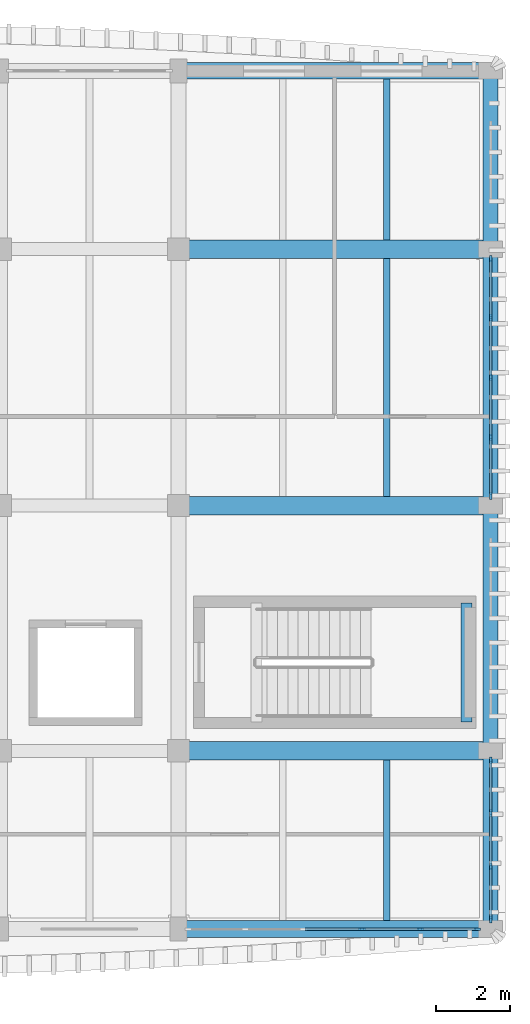
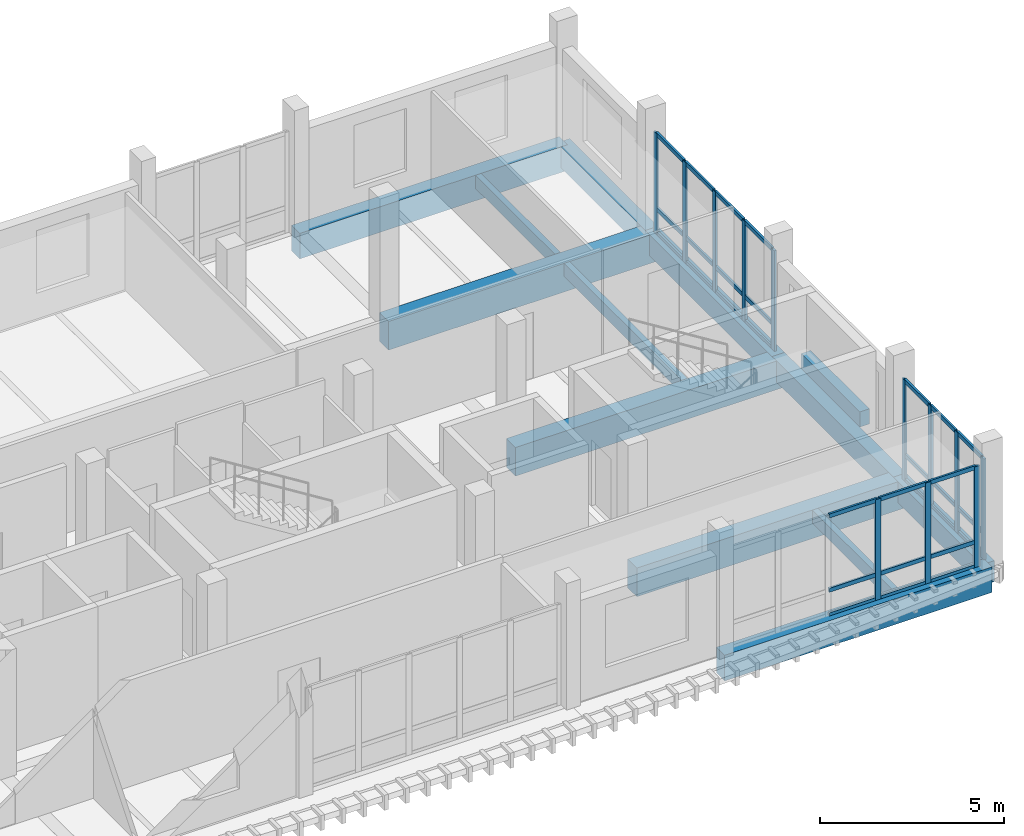
# One storey, part 5 of 16: 42 members, 13 beams, 3 elements without a shape of their own.
"""IFC4 building model written with IfcOpenShell, lengths in metres."""

from ifc_helpers import new_model, si_unit, direction, frame, origin, origin_2d, place, context, subcontext, project, spatial, rectangle, extrude, material, material_profile, profile_set, type_object, element, aggregate, save


model = new_model("IFC4")

# Units and contexts
model_context = context("Model", 3, precision=1e-05, world=origin(), true_north=direction((0.0, 1.0)))
body_context = subcontext(model_context, "Body", "Model", "MODEL_VIEW")
ifc_project = project(units=[si_unit("LENGTHUNIT", "METRE"), si_unit("AREAUNIT", "SQUARE_METRE"), si_unit("VOLUMEUNIT", "CUBIC_METRE"), si_unit("PLANEANGLEUNIT", "RADIAN"), si_unit("MASSUNIT", "GRAM", prefix="KILO")], contexts=[model_context])

# Site, building, storey
site_placement = place(None, origin())
site = spatial("IfcSite", under=ifc_project, at=site_placement, CompositionType="ELEMENT")
building_placement = place(site_placement, origin())
building = spatial("IfcBuilding", under=site, at=building_placement, Name="Dornvale Research Institute", CompositionType="ELEMENT")
storey_placement = place(building_placement, frame((0.0, 0.0, 38.39990234375)))
storey = spatial("IfcBuildingStorey", under=building, at=storey_placement, Name="L08", CompositionType="ELEMENT", Elevation=38.39990234375)

# Beams
ifc_material_1 = material(Name="Concrete f'c 45 MPa (C35/45)", Category="concrete")
ifc_material_profile_1 = material_profile(ifc_material_1, rectangle(XDim=0.300048828125, YDim=0.5, at=origin_2d()), Name="RC 300x500")
ifc_profile_set_1 = profile_set([ifc_material_profile_1], Name="Concrete f'c 45 MPa (C35/45)")
beam_type_1 = type_object("IfcBeamType", Name="Beam_RC300x500_Trim", PredefinedType="BEAM", material=ifc_profile_set_1)
beam_1_placement = place(storey_placement, frame((40.75, 104.580078125, 1.650146484375), z_axis=(0.0, 1.0, 0.0), x_axis=(-1.0, 0.0, 0.0)))
element("IfcBeam", 1, at=beam_1_placement, inside=storey, type_object=beam_type_1, Name="L08 ST-2 half-landing support beam #45", PredefinedType="BEAM", context=body_context, shape_type="SweptSolid", body=[
    extrude(rectangle(XDim=0.300048828125, YDim=0.5, at=origin_2d()), origin(), (0.0, 0.0, 1.0), 3.199951171875),
])
ifc_material_2 = material(Name="Concrete f'c 45 MPa (C35/45)", Category="concrete")
ifc_material_profile_2 = material_profile(ifc_material_2, rectangle(XDim=0.5, YDim=0.949951171875, at=origin_2d()), Name="RC 500x950")
ifc_profile_set_2 = profile_set([ifc_material_profile_2], Name="Concrete f'c 45 MPa (C35/45)")
beam_type_2 = type_object("IfcBeamType", Name="Beam_RC500x950_Girder", PredefinedType="BEAM", material=ifc_profile_set_2)
for number, where, z_axis, x_axis, name in (
    (2, (33.0, 103.800048828125, -0.474853515625), (1.0, 0.0, 0.0), (0.0, 1.0, 0.0), "L08 primary girder #1671"),
    (3, (33.0, 110.39990234375, -0.474853515625), (1.0, 0.0, 0.0), (0.0, 1.0, 0.0), "L08 primary girder #1676"),
    (4, (33.0, 117.300048828125, -0.474853515625), (1.0, 0.0, 0.0), (0.0, 1.0, 0.0), "L08 primary girder #1681"),
):
    element("IfcBeam", number, at=place(storey_placement, frame(where, z_axis=z_axis, x_axis=x_axis)), inside=storey, type_object=beam_type_2, Name=name, PredefinedType="BEAM", context=body_context, shape_type="SweptSolid", body=[
        extrude(rectangle(XDim=0.5, YDim=0.949951171875, at=origin_2d()), origin(), (0.0, 0.0, 1.0), 8.39990234375),
    ])
ifc_material_3 = material(Name="Concrete f'c 45 MPa (C35/45)", Category="concrete")
ifc_material_profile_3 = material_profile(ifc_material_3, rectangle(XDim=0.179931640625, YDim=0.43505859375, at=origin_2d()), Name="RC 180x435")
ifc_profile_set_3 = profile_set([ifc_material_profile_3], Name="Concrete f'c 45 MPa (C35/45)")
beam_type_3 = type_object("IfcBeamType", Name="Joist_RC180x435_Rib", PredefinedType="JOIST", material=ifc_profile_set_3)
beam_2_placement = place(storey_placement, frame((38.60009765625, 99.22509765625, -0.21728515625), z_axis=(0.0, 1.0, 0.0), x_axis=(-1.0, 0.0, 0.0)))
element("IfcBeam", 5, at=beam_2_placement, inside=storey, type_object=beam_type_3, Name="L08 laboratory waffle joist #816", PredefinedType="JOIST", context=body_context, shape_type="SweptSolid", body=[
    extrude(rectangle(XDim=0.179931640625, YDim=0.43505859375, at=origin_2d()), origin(), (0.0, 0.0, 1.0), 4.324951171875),
])
beam_3_placement = place(storey_placement, frame((38.60009765625, 110.64990234375, -0.21728515625), z_axis=(0.0, 1.0, 0.0), x_axis=(-1.0, 0.0, 0.0)))
element("IfcBeam", 6, at=beam_3_placement, inside=storey, type_object=beam_type_3, Name="L08 laboratory waffle joist #818", PredefinedType="JOIST", context=body_context, shape_type="SweptSolid", body=[
    extrude(rectangle(XDim=0.179931640625, YDim=0.43505859375, at=origin_2d()), origin(), (0.0, 0.0, 1.0), 6.400146484375),
])
beam_4_placement = place(storey_placement, frame((38.60009765625, 117.550048828125, -0.21728515625), z_axis=(0.0, 1.0, 0.0), x_axis=(-1.0, 0.0, 0.0)))
element("IfcBeam", 7, at=beam_4_placement, inside=storey, type_object=beam_type_3, Name="L08 laboratory waffle joist #820", PredefinedType="JOIST", context=body_context, shape_type="SweptSolid", body=[
    extrude(rectangle(XDim=0.179931640625, YDim=0.43505859375, at=origin_2d()), origin(), (0.0, 0.0, 1.0), 4.324951171875),
])

# Curtain wall, members
ifc_material_4 = material(Name="Low-E Argon Double Insulating Glazing Unit", Category="glass")
curtain_wall_type_1 = type_object("IfcCurtainWallType", Name="UnitisedCurtainWall_V5_6450x3350", PredefinedType="USERDEFINED", material=ifc_material_4)
curtain_wall_1_placement = place(storey_placement, origin())
curtain_wall_1 = element("IfcCurtainWall", 8, at=curtain_wall_1_placement, inside=storey, type_object=curtain_wall_type_1, Name="L08 V5 unitised curtain wall CW-36 #190", ObjectType="UNITISED CURTAIN WALL", PredefinedType="USERDEFINED")
ifc_material_5 = material(Name="Anodized Aluminum AA 6063-T6 Thermally Broken Frame", Category="aluminium")
ifc_material_profile_4 = material_profile(ifc_material_5, rectangle(XDim=0.06494140625, YDim=0.179931640625, at=origin_2d()), Name="ALU MULLION 65x180")
ifc_profile_set_4 = profile_set([ifc_material_profile_4], Name="Anodized Aluminum AA 6063-T6 Thermally Broken Frame")
member_type_1 = type_object("IfcMemberType", Name="Mullion_CW_65x180", PredefinedType="MULLION", material=ifc_profile_set_4)
member_1_placement = place(storey_placement, frame((41.39990234375, 117.04248046875, 0.0), z_axis=(0.0, 0.0, 1.0), x_axis=(1.0, 0.0, 0.0)))
member_1 = element("IfcMember", 9, at=member_1_placement, type_object=member_type_1, Name="CW-36 mullion 1", PredefinedType="MULLION", context=body_context, shape_type="SweptSolid", body=[
    extrude(rectangle(XDim=0.06494140625, YDim=0.179931640625, at=origin_2d()), origin(), (0.0, 0.0, 1.0), 3.35009765625),
])
member_2_placement = place(storey_placement, frame((41.39990234375, 115.46240234375, 0.0), z_axis=(0.0, 0.0, 1.0), x_axis=(1.0, 0.0, 0.0)))
member_2 = element("IfcMember", 10, at=member_2_placement, type_object=member_type_1, Name="CW-36 mullion 2", PredefinedType="MULLION", context=body_context, shape_type="SweptSolid", body=[
    extrude(rectangle(XDim=0.06494140625, YDim=0.179931640625, at=origin_2d()), origin(), (0.0, 0.0, 1.0), 3.35009765625),
])
member_3_placement = place(storey_placement, frame((41.39990234375, 113.85009765625, 0.0), z_axis=(0.0, 0.0, 1.0), x_axis=(1.0, 0.0, 0.0)))
member_3 = element("IfcMember", 11, at=member_3_placement, type_object=member_type_1, Name="CW-36 mullion 3", PredefinedType="MULLION", context=body_context, shape_type="SweptSolid", body=[
    extrude(rectangle(XDim=0.06494140625, YDim=0.179931640625, at=origin_2d()), origin(), (0.0, 0.0, 1.0), 3.35009765625),
])
member_4_placement = place(storey_placement, frame((41.39990234375, 112.237548828125, 0.0), z_axis=(0.0, 0.0, 1.0), x_axis=(1.0, 0.0, 0.0)))
member_4 = element("IfcMember", 12, at=member_4_placement, type_object=member_type_1, Name="CW-36 mullion 4", PredefinedType="MULLION", context=body_context, shape_type="SweptSolid", body=[
    extrude(rectangle(XDim=0.06494140625, YDim=0.179931640625, at=origin_2d()), origin(), (0.0, 0.0, 1.0), 3.35009765625),
])
member_5_placement = place(storey_placement, frame((41.39990234375, 110.657470703125, 0.0), z_axis=(0.0, 0.0, 1.0), x_axis=(1.0, 0.0, 0.0)))
member_5 = element("IfcMember", 13, at=member_5_placement, type_object=member_type_1, Name="CW-36 mullion 5", PredefinedType="MULLION", context=body_context, shape_type="SweptSolid", body=[
    extrude(rectangle(XDim=0.06494140625, YDim=0.179931640625, at=origin_2d()), origin(), (0.0, 0.0, 1.0), 3.35009765625),
])

ifc_material_6 = material(Name="Low-E Argon Double Insulating Glazing Unit", Category="glass")
curtain_wall_type_2 = type_object("IfcCurtainWallType", Name="UnitisedCurtainWall_V5_4350x3350", PredefinedType="USERDEFINED", material=ifc_material_6)
curtain_wall_2_placement = place(storey_placement, origin())
curtain_wall_2 = element("IfcCurtainWall", 14, at=curtain_wall_2_placement, inside=storey, type_object=curtain_wall_type_2, Name="L08 V5 unitised curtain wall CW-35 #191", ObjectType="UNITISED CURTAIN WALL", PredefinedType="USERDEFINED")
member_6_placement = place(storey_placement, frame((41.39990234375, 103.54248046875, 0.0), z_axis=(0.0, 0.0, 1.0), x_axis=(1.0, 0.0, 0.0)))
member_6 = element("IfcMember", 15, at=member_6_placement, type_object=member_type_1, Name="CW-35 mullion 1", PredefinedType="MULLION", context=body_context, shape_type="SweptSolid", body=[
    extrude(rectangle(XDim=0.06494140625, YDim=0.179931640625, at=origin_2d()), origin(), (0.0, 0.0, 1.0), 3.35009765625),
])
member_7_placement = place(storey_placement, frame((41.39990234375, 102.125, 0.0), z_axis=(0.0, 0.0, 1.0), x_axis=(1.0, 0.0, 0.0)))
member_7 = element("IfcMember", 16, at=member_7_placement, type_object=member_type_1, Name="CW-35 mullion 2", PredefinedType="MULLION", context=body_context, shape_type="SweptSolid", body=[
    extrude(rectangle(XDim=0.06494140625, YDim=0.179931640625, at=origin_2d()), origin(), (0.0, 0.0, 1.0), 3.35009765625),
])
member_8_placement = place(storey_placement, frame((41.39990234375, 100.675048828125, 0.0), z_axis=(0.0, 0.0, 1.0), x_axis=(1.0, 0.0, 0.0)))
member_8 = element("IfcMember", 17, at=member_8_placement, type_object=member_type_1, Name="CW-35 mullion 3", PredefinedType="MULLION", context=body_context, shape_type="SweptSolid", body=[
    extrude(rectangle(XDim=0.06494140625, YDim=0.179931640625, at=origin_2d()), origin(), (0.0, 0.0, 1.0), 3.35009765625),
])
member_9_placement = place(storey_placement, frame((41.39990234375, 99.257568359375, 0.0), z_axis=(0.0, 0.0, 1.0), x_axis=(1.0, 0.0, 0.0)))
member_9 = element("IfcMember", 18, at=member_9_placement, type_object=member_type_1, Name="CW-35 mullion 4", PredefinedType="MULLION", context=body_context, shape_type="SweptSolid", body=[
    extrude(rectangle(XDim=0.06494140625, YDim=0.179931640625, at=origin_2d()), origin(), (0.0, 0.0, 1.0), 3.35009765625),
])

ifc_material_7 = material(Name="Low-E Argon Double Insulating Glazing Unit", Category="glass")
curtain_wall_type_3 = type_object("IfcCurtainWallType", Name="UnitisedCurtainWall_V5_7850x3350", PredefinedType="USERDEFINED", material=ifc_material_7)
curtain_wall_3_placement = place(storey_placement, origin())
curtain_wall_3 = element("IfcCurtainWall", 19, at=curtain_wall_3_placement, inside=storey, type_object=curtain_wall_type_3, Name="L08 V5 unitised curtain wall CW-37 #192", ObjectType="UNITISED CURTAIN WALL", PredefinedType="USERDEFINED")
member_10_placement = place(storey_placement, frame((41.04248046875, 99.0, 0.0), z_axis=(0.0, 0.0, 1.0), x_axis=(0.0, -1.0, 0.0)))
member_10 = element("IfcMember", 20, at=member_10_placement, type_object=member_type_1, Name="CW-37 mullion 1", PredefinedType="MULLION", context=body_context, shape_type="SweptSolid", body=[
    extrude(rectangle(XDim=0.06494140625, YDim=0.179931640625, at=origin_2d()), origin(), (0.0, 0.0, 1.0), 3.35009765625),
])
member_11_placement = place(storey_placement, frame((39.5048828125, 99.0, 0.0), z_axis=(0.0, 0.0, 1.0), x_axis=(0.0, -1.0, 0.0)))
member_11 = element("IfcMember", 21, at=member_11_placement, type_object=member_type_1, Name="CW-37 mullion 2", PredefinedType="MULLION", context=body_context, shape_type="SweptSolid", body=[
    extrude(rectangle(XDim=0.06494140625, YDim=0.179931640625, at=origin_2d()), origin(), (0.0, 0.0, 1.0), 3.35009765625),
])
member_12_placement = place(storey_placement, frame((37.93505859375, 99.0, 0.0), z_axis=(0.0, 0.0, 1.0), x_axis=(0.0, -1.0, 0.0)))
member_12 = element("IfcMember", 22, at=member_12_placement, type_object=member_type_1, Name="CW-37 mullion 3", PredefinedType="MULLION", context=body_context, shape_type="SweptSolid", body=[
    extrude(rectangle(XDim=0.06494140625, YDim=0.179931640625, at=origin_2d()), origin(), (0.0, 0.0, 1.0), 3.35009765625),
])

# Beams
ifc_material_8 = material(Name="Concrete f'c 45 MPa (C35/45)", Category="concrete")
ifc_material_profile_5 = material_profile(ifc_material_8, rectangle(XDim=0.39990234375, YDim=0.699951171875, at=origin_2d()), Name="RC 400x700")
ifc_profile_set_5 = profile_set([ifc_material_profile_5], Name="Concrete f'c 45 MPa (C35/45)")
beam_type_4 = type_object("IfcBeamType", Name="Spandrel_RC400x700_Ext", PredefinedType="SPANDREL", material=ifc_profile_set_5)
beam_5_placement = place(storey_placement, frame((41.39990234375, 99.0, -0.349853515625), z_axis=(0.0, 1.0, 0.0), x_axis=(-1.0, 0.0, 0.0)))
element("IfcBeam", 23, at=beam_5_placement, inside=storey, type_object=beam_type_4, Name="L08 perimeter spandrel #1707", PredefinedType="SPANDREL", context=body_context, shape_type="SweptSolid", body=[
    extrude(rectangle(XDim=0.39990234375, YDim=0.699951171875, at=origin_2d()), origin(), (0.0, 0.0, 1.0), 4.800048828125),
])
beam_6_placement = place(storey_placement, frame((41.39990234375, 103.800048828125, -0.349853515625), z_axis=(0.0, 1.0, 0.0), x_axis=(-1.0, 0.0, 0.0)))
element("IfcBeam", 24, at=beam_6_placement, inside=storey, type_object=beam_type_4, Name="L08 perimeter spandrel #1708", PredefinedType="SPANDREL", context=body_context, shape_type="SweptSolid", body=[
    extrude(rectangle(XDim=0.39990234375, YDim=0.699951171875, at=origin_2d()), origin(), (0.0, 0.0, 1.0), 6.599853515625),
])
beam_7_placement = place(storey_placement, frame((41.39990234375, 110.39990234375, -0.349853515625), z_axis=(0.0, 1.0, 0.0), x_axis=(-1.0, 0.0, 0.0)))
element("IfcBeam", 25, at=beam_7_placement, inside=storey, type_object=beam_type_4, Name="L08 perimeter spandrel #1709", PredefinedType="SPANDREL", context=body_context, shape_type="SweptSolid", body=[
    extrude(rectangle(XDim=0.39990234375, YDim=0.699951171875, at=origin_2d()), origin(), (0.0, 0.0, 1.0), 6.900146484375),
])
beam_8_placement = place(storey_placement, frame((41.39990234375, 117.300048828125, -0.349853515625), z_axis=(0.0, 1.0, 0.0), x_axis=(-1.0, 0.0, 0.0)))
element("IfcBeam", 26, at=beam_8_placement, inside=storey, type_object=beam_type_4, Name="L08 perimeter spandrel #1710", PredefinedType="SPANDREL", context=body_context, shape_type="SweptSolid", body=[
    extrude(rectangle(XDim=0.39990234375, YDim=0.699951171875, at=origin_2d()), origin(), (0.0, 0.0, 1.0), 4.800048828125),
])
ifc_material_9 = material(Name="Concrete f'c 45 MPa (C35/45)", Category="concrete")
ifc_material_profile_6 = material_profile(ifc_material_9, rectangle(XDim=0.449951171875, YDim=0.85009765625, at=origin_2d()), Name="RC 450x850")
ifc_profile_set_6 = profile_set([ifc_material_profile_6], Name="Concrete f'c 45 MPa (C35/45)")
beam_type_5 = type_object("IfcBeamType", Name="Spandrel_RC450x850_Ext", PredefinedType="SPANDREL", material=ifc_profile_set_6)
for number, where, z_axis, x_axis, name in (
    (27, (33.0, 99.0, -0.4248046875), (1.0, 0.0, 0.0), (0.0, 1.0, 0.0), "L08 perimeter spandrel #1666"),
    (28, (33.0, 122.10009765625, -0.4248046875), (1.0, 0.0, 0.0), (0.0, 1.0, 0.0), "L08 perimeter spandrel #1686"),
):
    element("IfcBeam", number, at=place(storey_placement, frame(where, z_axis=z_axis, x_axis=x_axis)), inside=storey, type_object=beam_type_5, Name=name, PredefinedType="SPANDREL", context=body_context, shape_type="SweptSolid", body=[
        extrude(rectangle(XDim=0.449951171875, YDim=0.85009765625, at=origin_2d()), origin(), (0.0, 0.0, 1.0), 8.39990234375),
    ])

# Member
ifc_material_10 = material(Name="Anodized Aluminum AA 6063-T6 Thermally Broken Frame", Category="aluminium")
ifc_material_profile_7 = material_profile(ifc_material_10, rectangle(XDim=0.06494140625, YDim=0.135009765625, at=origin_2d()), Name="ALU TRANSOM 65x135")
ifc_profile_set_7 = profile_set([ifc_material_profile_7], Name="Anodized Aluminum AA 6063-T6 Thermally Broken Frame")
member_type_2 = type_object("IfcMemberType", Name="Transom_CW_65x135", PredefinedType="USERDEFINED", material=ifc_profile_set_7)
member_13_placement = place(storey_placement, frame((41.39990234375, 117.010009765625, 0.03271484375), z_axis=(0.0, -1.0, 0.0), x_axis=(1.0, 0.0, 0.0)))
member_13 = element("IfcMember", 29, at=member_13_placement, type_object=member_type_2, Name="CW-36 transom 1.1", ObjectType="TRANSOM", PredefinedType="USERDEFINED", context=body_context, shape_type="SweptSolid", body=[
    extrude(rectangle(XDim=0.06494140625, YDim=0.135009765625, at=origin_2d()), origin(), (0.0, 0.0, 1.0), 1.514892578125),
])

member_14_placement = place(storey_placement, frame((41.39990234375, 117.010009765625, 0.85009765625), z_axis=(0.0, -1.0, 0.0), x_axis=(1.0, 0.0, 0.0)))
member_14 = element("IfcMember", 30, at=member_14_placement, type_object=member_type_2, Name="CW-36 transom 1.2", ObjectType="TRANSOM", PredefinedType="USERDEFINED", context=body_context, shape_type="SweptSolid", body=[
    extrude(rectangle(XDim=0.06494140625, YDim=0.135009765625, at=origin_2d()), origin(), (0.0, 0.0, 1.0), 1.514892578125),
])

member_15_placement = place(storey_placement, frame((41.39990234375, 117.010009765625, 3.317626953125), z_axis=(0.0, -1.0, 0.0), x_axis=(1.0, 0.0, 0.0)))
member_15 = element("IfcMember", 31, at=member_15_placement, type_object=member_type_2, Name="CW-36 transom 1.3", ObjectType="TRANSOM", PredefinedType="USERDEFINED", context=body_context, shape_type="SweptSolid", body=[
    extrude(rectangle(XDim=0.06494140625, YDim=0.135009765625, at=origin_2d()), origin(), (0.0, 0.0, 1.0), 1.514892578125),
])

member_16_placement = place(storey_placement, frame((41.39990234375, 115.429931640625, 0.03271484375), z_axis=(0.0, -1.0, 0.0), x_axis=(1.0, 0.0, 0.0)))
member_16 = element("IfcMember", 32, at=member_16_placement, type_object=member_type_2, Name="CW-36 transom 2.1", ObjectType="TRANSOM", PredefinedType="USERDEFINED", context=body_context, shape_type="SweptSolid", body=[
    extrude(rectangle(XDim=0.06494140625, YDim=0.135009765625, at=origin_2d()), origin(), (0.0, 0.0, 1.0), 1.54736328125),
])

member_17_placement = place(storey_placement, frame((41.39990234375, 115.429931640625, 0.85009765625), z_axis=(0.0, -1.0, 0.0), x_axis=(1.0, 0.0, 0.0)))
member_17 = element("IfcMember", 33, at=member_17_placement, type_object=member_type_2, Name="CW-36 transom 2.2", ObjectType="TRANSOM", PredefinedType="USERDEFINED", context=body_context, shape_type="SweptSolid", body=[
    extrude(rectangle(XDim=0.06494140625, YDim=0.135009765625, at=origin_2d()), origin(), (0.0, 0.0, 1.0), 1.54736328125),
])

member_18_placement = place(storey_placement, frame((41.39990234375, 115.429931640625, 3.317626953125), z_axis=(0.0, -1.0, 0.0), x_axis=(1.0, 0.0, 0.0)))
member_18 = element("IfcMember", 34, at=member_18_placement, type_object=member_type_2, Name="CW-36 transom 2.3", ObjectType="TRANSOM", PredefinedType="USERDEFINED", context=body_context, shape_type="SweptSolid", body=[
    extrude(rectangle(XDim=0.06494140625, YDim=0.135009765625, at=origin_2d()), origin(), (0.0, 0.0, 1.0), 1.54736328125),
])

member_19_placement = place(storey_placement, frame((41.39990234375, 113.8173828125, 0.03271484375), z_axis=(0.0, -1.0, 0.0), x_axis=(1.0, 0.0, 0.0)))
member_19 = element("IfcMember", 35, at=member_19_placement, type_object=member_type_2, Name="CW-36 transom 3.1", ObjectType="TRANSOM", PredefinedType="USERDEFINED", context=body_context, shape_type="SweptSolid", body=[
    extrude(rectangle(XDim=0.06494140625, YDim=0.135009765625, at=origin_2d()), origin(), (0.0, 0.0, 1.0), 1.54736328125),
])

member_20_placement = place(storey_placement, frame((41.39990234375, 113.8173828125, 0.85009765625), z_axis=(0.0, -1.0, 0.0), x_axis=(1.0, 0.0, 0.0)))
member_20 = element("IfcMember", 36, at=member_20_placement, type_object=member_type_2, Name="CW-36 transom 3.2", ObjectType="TRANSOM", PredefinedType="USERDEFINED", context=body_context, shape_type="SweptSolid", body=[
    extrude(rectangle(XDim=0.06494140625, YDim=0.135009765625, at=origin_2d()), origin(), (0.0, 0.0, 1.0), 1.54736328125),
])

member_21_placement = place(storey_placement, frame((41.39990234375, 113.8173828125, 3.317626953125), z_axis=(0.0, -1.0, 0.0), x_axis=(1.0, 0.0, 0.0)))
member_21 = element("IfcMember", 37, at=member_21_placement, type_object=member_type_2, Name="CW-36 transom 3.3", ObjectType="TRANSOM", PredefinedType="USERDEFINED", context=body_context, shape_type="SweptSolid", body=[
    extrude(rectangle(XDim=0.06494140625, YDim=0.135009765625, at=origin_2d()), origin(), (0.0, 0.0, 1.0), 1.54736328125),
])

member_22_placement = place(storey_placement, frame((41.39990234375, 112.205078125, 0.03271484375), z_axis=(0.0, -1.0, 0.0), x_axis=(1.0, 0.0, 0.0)))
member_22 = element("IfcMember", 38, at=member_22_placement, type_object=member_type_2, Name="CW-36 transom 4.1", ObjectType="TRANSOM", PredefinedType="USERDEFINED", context=body_context, shape_type="SweptSolid", body=[
    extrude(rectangle(XDim=0.06494140625, YDim=0.135009765625, at=origin_2d()), origin(), (0.0, 0.0, 1.0), 1.51513671875),
])

member_23_placement = place(storey_placement, frame((41.39990234375, 112.205078125, 0.85009765625), z_axis=(0.0, -1.0, 0.0), x_axis=(1.0, 0.0, 0.0)))
member_23 = element("IfcMember", 39, at=member_23_placement, type_object=member_type_2, Name="CW-36 transom 4.2", ObjectType="TRANSOM", PredefinedType="USERDEFINED", context=body_context, shape_type="SweptSolid", body=[
    extrude(rectangle(XDim=0.06494140625, YDim=0.135009765625, at=origin_2d()), origin(), (0.0, 0.0, 1.0), 1.51513671875),
])

member_24_placement = place(storey_placement, frame((41.39990234375, 112.205078125, 3.317626953125), z_axis=(0.0, -1.0, 0.0), x_axis=(1.0, 0.0, 0.0)))
member_24 = element("IfcMember", 40, at=member_24_placement, type_object=member_type_2, Name="CW-36 transom 4.3", ObjectType="TRANSOM", PredefinedType="USERDEFINED", context=body_context, shape_type="SweptSolid", body=[
    extrude(rectangle(XDim=0.06494140625, YDim=0.135009765625, at=origin_2d()), origin(), (0.0, 0.0, 1.0), 1.51513671875),
])

aggregate(curtain_wall_1, [member_1, member_2, member_3, member_4, member_5, member_13, member_14, member_15, member_16, member_17, member_18, member_19, member_20, member_21, member_22, member_23, member_24])

member_25_placement = place(storey_placement, frame((41.39990234375, 103.510009765625, 0.03271484375), z_axis=(0.0, -1.0, 0.0), x_axis=(1.0, 0.0, 0.0)))
member_25 = element("IfcMember", 41, at=member_25_placement, type_object=member_type_2, Name="CW-35 transom 1.1", ObjectType="TRANSOM", PredefinedType="USERDEFINED", context=body_context, shape_type="SweptSolid", body=[
    extrude(rectangle(XDim=0.06494140625, YDim=0.135009765625, at=origin_2d()), origin(), (0.0, 0.0, 1.0), 1.3525390625),
])

member_26_placement = place(storey_placement, frame((41.39990234375, 103.510009765625, 0.85009765625), z_axis=(0.0, -1.0, 0.0), x_axis=(1.0, 0.0, 0.0)))
member_26 = element("IfcMember", 42, at=member_26_placement, type_object=member_type_2, Name="CW-35 transom 1.2", ObjectType="TRANSOM", PredefinedType="USERDEFINED", context=body_context, shape_type="SweptSolid", body=[
    extrude(rectangle(XDim=0.06494140625, YDim=0.135009765625, at=origin_2d()), origin(), (0.0, 0.0, 1.0), 1.3525390625),
])

member_27_placement = place(storey_placement, frame((41.39990234375, 103.510009765625, 3.317626953125), z_axis=(0.0, -1.0, 0.0), x_axis=(1.0, 0.0, 0.0)))
member_27 = element("IfcMember", 43, at=member_27_placement, type_object=member_type_2, Name="CW-35 transom 1.3", ObjectType="TRANSOM", PredefinedType="USERDEFINED", context=body_context, shape_type="SweptSolid", body=[
    extrude(rectangle(XDim=0.06494140625, YDim=0.135009765625, at=origin_2d()), origin(), (0.0, 0.0, 1.0), 1.3525390625),
])

member_28_placement = place(storey_placement, frame((41.39990234375, 102.092529296875, 0.03271484375), z_axis=(0.0, -1.0, 0.0), x_axis=(1.0, 0.0, 0.0)))
member_28 = element("IfcMember", 44, at=member_28_placement, type_object=member_type_2, Name="CW-35 transom 2.1", ObjectType="TRANSOM", PredefinedType="USERDEFINED", context=body_context, shape_type="SweptSolid", body=[
    extrude(rectangle(XDim=0.06494140625, YDim=0.135009765625, at=origin_2d()), origin(), (0.0, 0.0, 1.0), 1.385009765625),
])

member_29_placement = place(storey_placement, frame((41.39990234375, 102.092529296875, 0.85009765625), z_axis=(0.0, -1.0, 0.0), x_axis=(1.0, 0.0, 0.0)))
member_29 = element("IfcMember", 45, at=member_29_placement, type_object=member_type_2, Name="CW-35 transom 2.2", ObjectType="TRANSOM", PredefinedType="USERDEFINED", context=body_context, shape_type="SweptSolid", body=[
    extrude(rectangle(XDim=0.06494140625, YDim=0.135009765625, at=origin_2d()), origin(), (0.0, 0.0, 1.0), 1.385009765625),
])

member_30_placement = place(storey_placement, frame((41.39990234375, 102.092529296875, 3.317626953125), z_axis=(0.0, -1.0, 0.0), x_axis=(1.0, 0.0, 0.0)))
member_30 = element("IfcMember", 46, at=member_30_placement, type_object=member_type_2, Name="CW-35 transom 2.3", ObjectType="TRANSOM", PredefinedType="USERDEFINED", context=body_context, shape_type="SweptSolid", body=[
    extrude(rectangle(XDim=0.06494140625, YDim=0.135009765625, at=origin_2d()), origin(), (0.0, 0.0, 1.0), 1.385009765625),
])

member_31_placement = place(storey_placement, frame((41.39990234375, 100.642578125, 0.03271484375), z_axis=(0.0, -1.0, 0.0), x_axis=(1.0, 0.0, 0.0)))
member_31 = element("IfcMember", 47, at=member_31_placement, type_object=member_type_2, Name="CW-35 transom 3.1", ObjectType="TRANSOM", PredefinedType="USERDEFINED", context=body_context, shape_type="SweptSolid", body=[
    extrude(rectangle(XDim=0.06494140625, YDim=0.135009765625, at=origin_2d()), origin(), (0.0, 0.0, 1.0), 1.3525390625),
])

member_32_placement = place(storey_placement, frame((41.39990234375, 100.642578125, 0.85009765625), z_axis=(0.0, -1.0, 0.0), x_axis=(1.0, 0.0, 0.0)))
member_32 = element("IfcMember", 48, at=member_32_placement, type_object=member_type_2, Name="CW-35 transom 3.2", ObjectType="TRANSOM", PredefinedType="USERDEFINED", context=body_context, shape_type="SweptSolid", body=[
    extrude(rectangle(XDim=0.06494140625, YDim=0.135009765625, at=origin_2d()), origin(), (0.0, 0.0, 1.0), 1.3525390625),
])

member_33_placement = place(storey_placement, frame((41.39990234375, 100.642578125, 3.317626953125), z_axis=(0.0, -1.0, 0.0), x_axis=(1.0, 0.0, 0.0)))
member_33 = element("IfcMember", 49, at=member_33_placement, type_object=member_type_2, Name="CW-35 transom 3.3", ObjectType="TRANSOM", PredefinedType="USERDEFINED", context=body_context, shape_type="SweptSolid", body=[
    extrude(rectangle(XDim=0.06494140625, YDim=0.135009765625, at=origin_2d()), origin(), (0.0, 0.0, 1.0), 1.3525390625),
])

aggregate(curtain_wall_2, [member_6, member_7, member_8, member_9, member_25, member_26, member_27, member_28, member_29, member_30, member_31, member_32, member_33])

member_34_placement = place(storey_placement, frame((41.010009765625, 99.0, 0.03271484375), z_axis=(-1.0, 0.0, 0.0), x_axis=(0.0, -1.0, 0.0)))
member_34 = element("IfcMember", 50, at=member_34_placement, type_object=member_type_2, Name="CW-37 transom 1.1", ObjectType="TRANSOM", PredefinedType="USERDEFINED", context=body_context, shape_type="SweptSolid", body=[
    extrude(rectangle(XDim=0.06494140625, YDim=0.135009765625, at=origin_2d()), origin(), (0.0, 0.0, 1.0), 1.472412109375),
])

member_35_placement = place(storey_placement, frame((41.010009765625, 99.0, 0.85009765625), z_axis=(-1.0, 0.0, 0.0), x_axis=(0.0, -1.0, 0.0)))
member_35 = element("IfcMember", 51, at=member_35_placement, type_object=member_type_2, Name="CW-37 transom 1.2", ObjectType="TRANSOM", PredefinedType="USERDEFINED", context=body_context, shape_type="SweptSolid", body=[
    extrude(rectangle(XDim=0.06494140625, YDim=0.135009765625, at=origin_2d()), origin(), (0.0, 0.0, 1.0), 1.472412109375),
])

member_36_placement = place(storey_placement, frame((41.010009765625, 99.0, 3.317626953125), z_axis=(-1.0, 0.0, 0.0), x_axis=(0.0, -1.0, 0.0)))
member_36 = element("IfcMember", 52, at=member_36_placement, type_object=member_type_2, Name="CW-37 transom 1.3", ObjectType="TRANSOM", PredefinedType="USERDEFINED", context=body_context, shape_type="SweptSolid", body=[
    extrude(rectangle(XDim=0.06494140625, YDim=0.135009765625, at=origin_2d()), origin(), (0.0, 0.0, 1.0), 1.472412109375),
])

member_37_placement = place(storey_placement, frame((39.472412109375, 99.0, 0.03271484375), z_axis=(-1.0, 0.0, 0.0), x_axis=(0.0, -1.0, 0.0)))
member_37 = element("IfcMember", 53, at=member_37_placement, type_object=member_type_2, Name="CW-37 transom 2.1", ObjectType="TRANSOM", PredefinedType="USERDEFINED", context=body_context, shape_type="SweptSolid", body=[
    extrude(rectangle(XDim=0.06494140625, YDim=0.135009765625, at=origin_2d()), origin(), (0.0, 0.0, 1.0), 1.5048828125),
])

member_38_placement = place(storey_placement, frame((39.472412109375, 99.0, 0.85009765625), z_axis=(-1.0, 0.0, 0.0), x_axis=(0.0, -1.0, 0.0)))
member_38 = element("IfcMember", 54, at=member_38_placement, type_object=member_type_2, Name="CW-37 transom 2.2", ObjectType="TRANSOM", PredefinedType="USERDEFINED", context=body_context, shape_type="SweptSolid", body=[
    extrude(rectangle(XDim=0.06494140625, YDim=0.135009765625, at=origin_2d()), origin(), (0.0, 0.0, 1.0), 1.5048828125),
])

member_39_placement = place(storey_placement, frame((39.472412109375, 99.0, 3.317626953125), z_axis=(-1.0, 0.0, 0.0), x_axis=(0.0, -1.0, 0.0)))
member_39 = element("IfcMember", 55, at=member_39_placement, type_object=member_type_2, Name="CW-37 transom 2.3", ObjectType="TRANSOM", PredefinedType="USERDEFINED", context=body_context, shape_type="SweptSolid", body=[
    extrude(rectangle(XDim=0.06494140625, YDim=0.135009765625, at=origin_2d()), origin(), (0.0, 0.0, 1.0), 1.5048828125),
])

member_40_placement = place(storey_placement, frame((37.902587890625, 99.0, 0.03271484375), z_axis=(-1.0, 0.0, 0.0), x_axis=(0.0, -1.0, 0.0)))
member_40 = element("IfcMember", 56, at=member_40_placement, type_object=member_type_2, Name="CW-37 transom 3.1", ObjectType="TRANSOM", PredefinedType="USERDEFINED", context=body_context, shape_type="SweptSolid", body=[
    extrude(rectangle(XDim=0.06494140625, YDim=0.135009765625, at=origin_2d()), origin(), (0.0, 0.0, 1.0), 1.505126953125),
])

member_41_placement = place(storey_placement, frame((37.902587890625, 99.0, 0.85009765625), z_axis=(-1.0, 0.0, 0.0), x_axis=(0.0, -1.0, 0.0)))
member_41 = element("IfcMember", 57, at=member_41_placement, type_object=member_type_2, Name="CW-37 transom 3.2", ObjectType="TRANSOM", PredefinedType="USERDEFINED", context=body_context, shape_type="SweptSolid", body=[
    extrude(rectangle(XDim=0.06494140625, YDim=0.135009765625, at=origin_2d()), origin(), (0.0, 0.0, 1.0), 1.505126953125),
])

member_42_placement = place(storey_placement, frame((37.902587890625, 99.0, 3.317626953125), z_axis=(-1.0, 0.0, 0.0), x_axis=(0.0, -1.0, 0.0)))
member_42 = element("IfcMember", 58, at=member_42_placement, type_object=member_type_2, Name="CW-37 transom 3.3", ObjectType="TRANSOM", PredefinedType="USERDEFINED", context=body_context, shape_type="SweptSolid", body=[
    extrude(rectangle(XDim=0.06494140625, YDim=0.135009765625, at=origin_2d()), origin(), (0.0, 0.0, 1.0), 1.505126953125),
])

aggregate(curtain_wall_3, [member_10, member_11, member_12, member_34, member_35, member_36, member_37, member_38, member_39, member_40, member_41, member_42])

save(model, "model.ifc")
